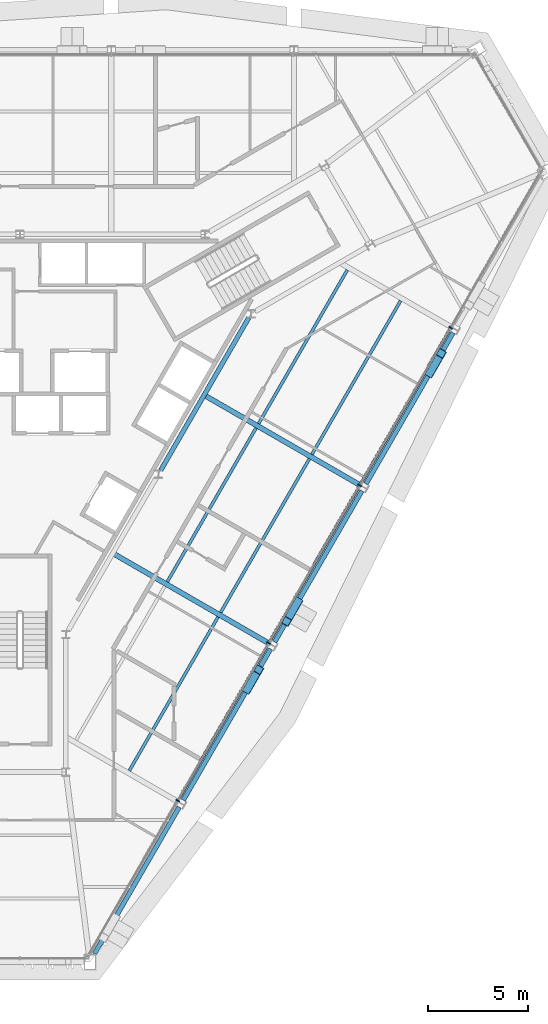
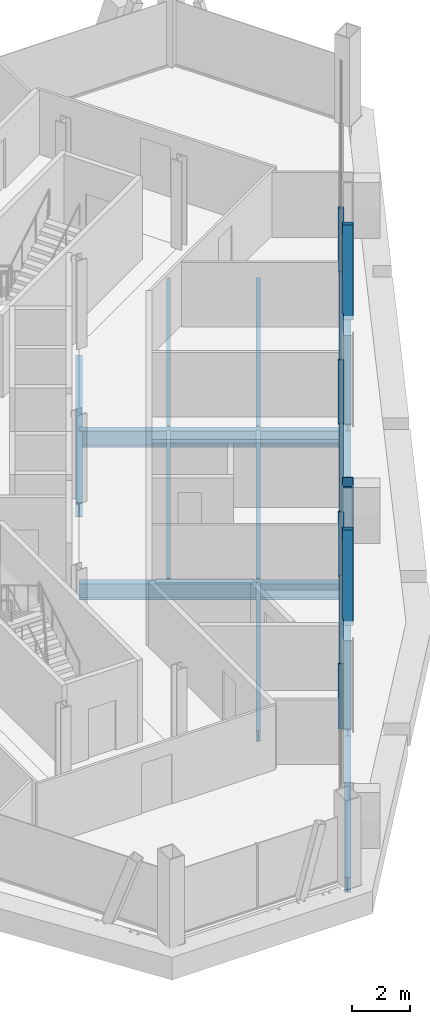
# One storey, part 5 of 15: 12 beams, 10 members, 1 element without a shape of its own.
"""IFC4 building model written with IfcOpenShell, lengths in metres."""

from ifc_helpers import new_model, si_unit, direction, frame, origin, origin_2d, place, context, subcontext, project, spatial, rectangle, hollow_rectangle, i_section, extrude, material, material_profile, profile_set, type_object, element, aggregate, save


model = new_model("IFC4")

# Units and contexts
model_context = context("Model", 3, precision=1e-05, world=origin(), true_north=direction((0.0, 1.0)))
body_context = subcontext(model_context, "Body", "Model", "MODEL_VIEW")
ifc_project = project(units=[si_unit("LENGTHUNIT", "METRE"), si_unit("AREAUNIT", "SQUARE_METRE"), si_unit("VOLUMEUNIT", "CUBIC_METRE"), si_unit("PLANEANGLEUNIT", "RADIAN"), si_unit("MASSUNIT", "GRAM", prefix="KILO")], contexts=[model_context])

# Site, building, storey
site_placement = place(None, origin())
site = spatial("IfcSite", under=ifc_project, at=site_placement, CompositionType="ELEMENT")
building_placement = place(site_placement, origin())
building = spatial("IfcBuilding", under=site, at=building_placement, Name="Verrane Prism Tower", CompositionType="ELEMENT")
storey_placement = place(building_placement, frame((0.0, 0.0, 250.800048828125)))
storey = spatial("IfcBuildingStorey", under=building, at=storey_placement, Name="L63", CompositionType="ELEMENT", Elevation=250.800048828125)

# Beam
ifc_material_1 = material(Name="Steel A992", Category="steel")
ifc_material_profile_1 = material_profile(ifc_material_1, i_section(OverallWidth=0.23046875, OverallDepth=0.6171875, WebThickness=0.01318359375, FlangeThickness=0.022216796875, FilletRadius=0.012939453125, at=origin_2d()), Name="W24x94")
ifc_profile_set_1 = profile_set([ifc_material_profile_1], Name="Steel A992")
beam_type_1 = type_object("IfcBeamType", Name="Core ring girder W24x94", PredefinedType="BEAM", material=ifc_profile_set_1)
beam_1_placement = place(storey_placement, frame((7.04150390625, -3.806884765625, -0.55859375), z_axis=(0.499967007444, 0.866044451208, 0.0), x_axis=(-0.866044451208, 0.499967007444, 0.0)))
element("IfcBeam", 1, at=beam_1_placement, inside=storey, type_object=beam_type_1, Name="Core ring girder L63", PredefinedType="BEAM", context=body_context, shape_type="SweptSolid", body=[
    extrude(i_section(OverallWidth=0.23046875, OverallDepth=0.6171875, WebThickness=0.01318359375, FlangeThickness=0.022216796875, FilletRadius=0.012939453125, at=origin_2d()), origin(), (0.0, 0.0, 1.0), 8.814453125),
])

# Members
ifc_material_2 = material(Name="Steel A500 Grade C", Category="steel")
ifc_material_profile_2 = material_profile(ifc_material_2, hollow_rectangle(XDim=0.406494140625, YDim=0.406494140625, WallThickness=0.01904296875, InnerFilletRadius=0.009521484375, OuterFilletRadius=0.028564453125, at=origin_2d()), Name="HSS16x16x3/4")
ifc_profile_set_2 = profile_set([ifc_material_profile_2], Name="Steel A500 Grade C")
member_type_1 = type_object("IfcMemberType", Name="Facade brace HSS16x16x3/4", PredefinedType="BRACE", material=ifc_profile_set_2)
member_1_placement = place(storey_placement, frame((11.378662109375, -14.753173828125, -0.216796875), z_axis=(0.16639448811, 0.288056951494, 0.943046163781), x_axis=(-0.865915093549, 0.500191014278, 0.0)))
element("IfcMember", 2, at=member_1_placement, inside=storey, type_object=member_type_1, Name="Facade brace SE1 L63", PredefinedType="BRACE", context=body_context, shape_type="SweptSolid", body=[
    extrude(hollow_rectangle(XDim=0.406494140625, YDim=0.406494140625, WallThickness=0.01904296875, InnerFilletRadius=0.009521484375, OuterFilletRadius=0.028564453125, at=origin_2d()), origin(), (0.0, 0.0, 1.0), 3.389404296875),
])
for number, where, z_axis, x_axis, name in (
    (3, (13.9013671875, -10.386962890625, -0.216796875), (-0.16639794037, -0.287990894198, 0.943065729575), (0.865860903713, -0.500284814302, 0.0), "Facade brace SE2 L63"),
    (4, (20.511474609375, 1.06689453125, -0.216796875), (0.166044267249, 0.28807419728, 0.943102623353), (-0.86638389334, 0.499378563178, 0.0), "Facade brace SE3 L63"),
):
    element("IfcMember", number, at=place(storey_placement, frame(where, z_axis=z_axis, x_axis=x_axis)), inside=storey, type_object=member_type_1, Name=name, PredefinedType="BRACE", context=body_context, shape_type="SweptSolid", body=[
        extrude(hollow_rectangle(XDim=0.406494140625, YDim=0.406494140625, WallThickness=0.01904296875, InnerFilletRadius=0.009521484375, OuterFilletRadius=0.028564453125, at=origin_2d()), origin(), (0.0, 0.0, 1.0), 3.38916015625),
    ])

# Beams
ifc_material_3 = material(Name="Steel A992", Category="steel")
ifc_material_profile_3 = material_profile(ifc_material_3, i_section(OverallWidth=0.15234375, OverallDepth=0.449462890625, WebThickness=0.007568359375, FlangeThickness=0.0107421875, FilletRadius=0.01025390625, at=origin_2d()), Name="W18x35")
ifc_profile_set_3 = profile_set([ifc_material_profile_3], Name="Steel A992")
beam_type_2 = type_object("IfcBeamType", Name="Floor beam W18x35", PredefinedType="BEAM", material=ifc_profile_set_3)
beam_2_placement = place(storey_placement, frame((5.47119140625, -18.83349609375, -0.384765625), z_axis=(0.50000642917, 0.866021691869, 0.0), x_axis=(-0.866021691869, 0.50000642917, 0.0)))
element("IfcBeam", 5, at=beam_2_placement, inside=storey, type_object=beam_type_2, Name="Floor beam L63", PredefinedType="BEAM", context=body_context, shape_type="SweptSolid", body=[
    extrude(i_section(OverallWidth=0.15234375, OverallDepth=0.449462890625, WebThickness=0.007568359375, FlangeThickness=0.0107421875, FilletRadius=0.01025390625, at=origin_2d()), origin(), (0.0, 0.0, 1.0), 8.880859375),
])
beam_3_placement = place(storey_placement, frame((10.03857421875, -10.92236328125, -0.384765625), z_axis=(0.499996860793, 0.866027216199, 0.0), x_axis=(-0.866027216199, 0.499996860793, 0.0)))
element("IfcBeam", 6, at=beam_3_placement, inside=storey, type_object=beam_type_2, Name="Floor beam L63", PredefinedType="BEAM", context=body_context, shape_type="SweptSolid", body=[
    extrude(i_section(OverallWidth=0.15234375, OverallDepth=0.449462890625, WebThickness=0.007568359375, FlangeThickness=0.0107421875, FilletRadius=0.01025390625, at=origin_2d()), origin(), (0.0, 0.0, 1.0), 8.88232421875),
])
beam_4_placement = place(storey_placement, frame((7.371337890625, -9.383544921875, -0.384765625), z_axis=(0.499999195485, 0.866025868271, 0.0), x_axis=(-0.866025868271, 0.499999195485, 0.0)))
element("IfcBeam", 7, at=beam_4_placement, inside=storey, type_object=beam_type_2, Name="Floor beam L63", PredefinedType="BEAM", context=body_context, shape_type="SweptSolid", body=[
    extrude(i_section(OverallWidth=0.15234375, OverallDepth=0.449462890625, WebThickness=0.007568359375, FlangeThickness=0.0107421875, FilletRadius=0.01025390625, at=origin_2d()), origin(), (0.0, 0.0, 1.0), 8.8837890625),
])
beam_5_placement = place(storey_placement, frame((14.606689453125, -3.010009765625, -0.384765625), z_axis=(0.500005807019, 0.866022051074, 0.0), x_axis=(-0.866022051074, 0.500005807019, 0.0)))
element("IfcBeam", 8, at=beam_5_placement, inside=storey, type_object=beam_type_2, Name="Floor beam L63", PredefinedType="BEAM", context=body_context, shape_type="SweptSolid", body=[
    extrude(i_section(OverallWidth=0.15234375, OverallDepth=0.449462890625, WebThickness=0.007568359375, FlangeThickness=0.0107421875, FilletRadius=0.01025390625, at=origin_2d()), origin(), (0.0, 0.0, 1.0), 8.87548828125),
])
beam_6_placement = place(storey_placement, frame((11.940185546875, -1.469970703125, -0.384765625), z_axis=(0.500000279077, 0.866025242659, 0.0), x_axis=(-0.866025242659, 0.500000279077, 0.0)))
element("IfcBeam", 9, at=beam_6_placement, inside=storey, type_object=beam_type_2, Name="Floor beam L63", PredefinedType="BEAM", context=body_context, shape_type="SweptSolid", body=[
    extrude(i_section(OverallWidth=0.15234375, OverallDepth=0.449462890625, WebThickness=0.007568359375, FlangeThickness=0.0107421875, FilletRadius=0.01025390625, at=origin_2d()), origin(), (0.0, 0.0, 1.0), 8.87451171875),
])

# Curtain wall, members
ifc_material_4 = material(Name="Aluminium framed insulated glazing", Category="aluminium")
curtain_wall_type = type_object("IfcCurtainWallType", Name="Curtain wall CW-A 8400 module", PredefinedType="NOTDEFINED", material=ifc_material_4)
curtain_wall_placement = place(storey_placement, origin())
curtain_wall = element("IfcCurtainWall", 10, at=curtain_wall_placement, inside=storey, type_object=curtain_wall_type, Name="Glazed curtain wall south-east face L63", PredefinedType="NOTDEFINED")
ifc_material_5 = material(Name="Aluminium alloy 6063-T6", Category="aluminium")
ifc_material_profile_4 = material_profile(ifc_material_5, rectangle(XDim=0.199951171875, YDim=0.070068359375, at=origin_2d()), Name="Mullion 70x200 aluminium")
ifc_profile_set_4 = profile_set([ifc_material_profile_4], Name="Aluminium alloy 6063-T6")
member_type_2 = type_object("IfcMemberType", Name="Mullion 70x200 aluminium", PredefinedType="MULLION", material=ifc_profile_set_4)
member_2_placement = place(storey_placement, frame((7.894775390625, -20.32958984375, 0.0), z_axis=(0.0, 0.0, 1.0), x_axis=(-0.866025525748, 0.499999788753, 0.0)))
member_2 = element("IfcMember", 11, at=member_2_placement, type_object=member_type_2, Name="CW62.6 mullion 2", PredefinedType="MULLION", context=body_context, shape_type="SweptSolid", body=[
    extrude(rectangle(XDim=0.199951171875, YDim=0.070068359375, at=origin_2d()), origin(), (0.0, 0.0, 1.0), 2.712890625),
])
member_3_placement = place(storey_placement, frame((12.447509765625, -12.44384765625, 0.0), z_axis=(0.0, 0.0, 1.0), x_axis=(-0.866025525748, 0.499999788753, 0.0)))
member_3 = element("IfcMember", 12, at=member_3_placement, type_object=member_type_2, Name="CW62.6 mullion 3", PredefinedType="MULLION", context=body_context, shape_type="SweptSolid", body=[
    extrude(rectangle(XDim=0.199951171875, YDim=0.070068359375, at=origin_2d()), origin(), (0.0, 0.0, 1.0), 2.712890625),
])
member_4_placement = place(storey_placement, frame((17.000244140625, -4.55810546875, 0.0), z_axis=(0.0, 0.0, 1.0), x_axis=(-0.866025525748, 0.499999788753, 0.0)))
member_4 = element("IfcMember", 13, at=member_4_placement, type_object=member_type_2, Name="CW62.6 mullion 4", PredefinedType="MULLION", context=body_context, shape_type="SweptSolid", body=[
    extrude(rectangle(XDim=0.199951171875, YDim=0.070068359375, at=origin_2d()), origin(), (0.0, 0.0, 1.0), 2.712890625),
])
member_5_placement = place(storey_placement, frame((21.55322265625, 3.32763671875, 0.0), z_axis=(0.0, 0.0, 1.0), x_axis=(-0.866025525748, 0.499999788753, 0.0)))
member_5 = element("IfcMember", 14, at=member_5_placement, type_object=member_type_2, Name="CW62.6 mullion 5", PredefinedType="MULLION", context=body_context, shape_type="SweptSolid", body=[
    extrude(rectangle(XDim=0.199951171875, YDim=0.070068359375, at=origin_2d()), origin(), (0.0, 0.0, 1.0), 2.712890625),
])

# Beams
ifc_material_6 = material(Name="Steel A992", Category="steel")
ifc_material_profile_5 = material_profile(ifc_material_6, i_section(OverallWidth=0.25390625, OverallDepth=0.683349609375, WebThickness=0.012451171875, FlangeThickness=0.01904296875, FilletRadius=0.01513671875, at=origin_2d()), Name="W27x94")
ifc_profile_set_5 = profile_set([ifc_material_profile_5], Name="Steel A992")
beam_type_3 = type_object("IfcBeamType", Name="Radial girder W27x94", PredefinedType="BEAM", material=ifc_profile_set_5)
beam_7_placement = place(storey_placement, frame((12.472900390625, -12.473388671875, -0.561767578125), z_axis=(-0.866031723512, 0.499989053751, 0.0), x_axis=(-0.499989053751, -0.866031723512, 0.0)))
element("IfcBeam", 15, at=beam_7_placement, inside=storey, type_object=beam_type_3, Name="Radial girder L63", PredefinedType="BEAM", context=body_context, shape_type="SweptSolid", body=[
    extrude(i_section(OverallWidth=0.25390625, OverallDepth=0.683349609375, WebThickness=0.012451171875, FlangeThickness=0.01904296875, FilletRadius=0.01513671875, at=origin_2d()), origin(), (0.0, 0.0, 1.0), 9.036865234375),
])
beam_8_placement = place(storey_placement, frame((17.042724609375, -4.5634765625, -0.561767578125), z_axis=(-0.866029072754, 0.499993645104, 0.0), x_axis=(-0.499993645104, -0.866029072754, 0.0)))
element("IfcBeam", 16, at=beam_8_placement, inside=storey, type_object=beam_type_3, Name="Radial girder L63", PredefinedType="BEAM", context=body_context, shape_type="SweptSolid", body=[
    extrude(i_section(OverallWidth=0.25390625, OverallDepth=0.683349609375, WebThickness=0.012451171875, FlangeThickness=0.01904296875, FilletRadius=0.01513671875, at=origin_2d()), origin(), (0.0, 0.0, 1.0), 9.03955078125),
])
ifc_material_7 = material(Name="Steel A992", Category="steel")
ifc_material_profile_6 = material_profile(ifc_material_7, i_section(OverallWidth=0.23046875, OverallDepth=0.6171875, WebThickness=0.01318359375, FlangeThickness=0.022216796875, FilletRadius=0.012939453125, at=origin_2d()), Name="W24x94")
ifc_profile_set_6 = profile_set([ifc_material_profile_6], Name="Steel A992")
beam_type_4 = type_object("IfcBeamType", Name="Spandrel beam W24x94", PredefinedType="SPANDREL", material=ifc_profile_set_6)
beam_9_placement = place(storey_placement, frame((3.731201171875, -27.989990234375, -0.46875), z_axis=(0.500244477186, 0.865884208797, 0.0), x_axis=(-0.865884208797, 0.500244477186, 0.0)))
element("IfcBeam", 17, at=beam_9_placement, inside=storey, type_object=beam_type_4, Name="Spandrel beam L63", PredefinedType="SPANDREL", context=body_context, shape_type="SweptSolid", body=[
    extrude(i_section(OverallWidth=0.23046875, OverallDepth=0.6171875, WebThickness=0.01318359375, FlangeThickness=0.022216796875, FilletRadius=0.012939453125, at=origin_2d()), origin(), (0.0, 0.0, 1.0), 8.473876953125),
])
beam_10_placement = place(storey_placement, frame((8.169677734375, -20.307373046875, -0.46875), z_axis=(0.500268286352, 0.865870453169, 0.0), x_axis=(-0.865870453169, 0.500268286352, 0.0)))
element("IfcBeam", 18, at=beam_10_placement, inside=storey, type_object=beam_type_4, Name="Spandrel beam L63", PredefinedType="SPANDREL", context=body_context, shape_type="SweptSolid", body=[
    extrude(i_section(OverallWidth=0.23046875, OverallDepth=0.6171875, WebThickness=0.01318359375, FlangeThickness=0.022216796875, FilletRadius=0.012939453125, at=origin_2d()), origin(), (0.0, 0.0, 1.0), 8.736572265625),
])
beam_11_placement = place(storey_placement, frame((12.73974609375, -12.3974609375, -0.46875), z_axis=(0.500256181805, 0.865877446621, 0.0), x_axis=(-0.865877446621, 0.500256181805, 0.0)))
element("IfcBeam", 19, at=beam_11_placement, inside=storey, type_object=beam_type_4, Name="Spandrel beam L63", PredefinedType="SPANDREL", context=body_context, shape_type="SweptSolid", body=[
    extrude(i_section(OverallWidth=0.23046875, OverallDepth=0.6171875, WebThickness=0.01318359375, FlangeThickness=0.022216796875, FilletRadius=0.012939453125, at=origin_2d()), origin(), (0.0, 0.0, 1.0), 8.73681640625),
])
beam_12_placement = place(storey_placement, frame((17.3095703125, -4.4873046875, -0.46875), z_axis=(0.499429538444, 0.866354509499, 0.0), x_axis=(-0.866354509499, 0.499429538444, 0.0)))
element("IfcBeam", 20, at=beam_12_placement, inside=storey, type_object=beam_type_4, Name="Spandrel beam L63", PredefinedType="SPANDREL", context=body_context, shape_type="SweptSolid", body=[
    extrude(i_section(OverallWidth=0.23046875, OverallDepth=0.6171875, WebThickness=0.01318359375, FlangeThickness=0.022216796875, FilletRadius=0.012939453125, at=origin_2d()), origin(), (0.0, 0.0, 1.0), 8.731689453125),
])

# Member
ifc_material_8 = material(Name="Aluminium alloy 6063-T6", Category="aluminium")
ifc_material_profile_7 = material_profile(ifc_material_8, rectangle(XDim=0.14990234375, YDim=0.070068359375, at=origin_2d()), Name="Transom 70x150 aluminium")
ifc_profile_set_7 = profile_set([ifc_material_profile_7], Name="Aluminium alloy 6063-T6")
member_type_3 = type_object("IfcMemberType", Name="Transom 70x150 aluminium", PredefinedType="USERDEFINED", material=ifc_profile_set_7)
member_6_placement = place(storey_placement, frame((7.912109375, -20.299072265625, 0.034912109375), z_axis=(0.500007022283, 0.866021349429, 0.0), x_axis=(-0.866021349429, 0.500007022283, 0.0)))
member_6 = element("IfcMember", 21, at=member_6_placement, type_object=member_type_3, Name="CW62.6 transom 2", ObjectType="TRANSOM", PredefinedType="USERDEFINED", context=body_context, shape_type="SweptSolid", body=[
    extrude(rectangle(XDim=0.14990234375, YDim=0.070068359375, at=origin_2d()), origin(), (0.0, 0.0, 1.0), 9.035400390625),
])

member_7_placement = place(storey_placement, frame((12.465087890625, -12.413330078125, 0.034912109375), z_axis=(0.500007022283, 0.866021349429, 0.0), x_axis=(-0.866021349429, 0.500007022283, 0.0)))
member_7 = element("IfcMember", 22, at=member_7_placement, type_object=member_type_3, Name="CW62.6 transom 3", ObjectType="TRANSOM", PredefinedType="USERDEFINED", context=body_context, shape_type="SweptSolid", body=[
    extrude(rectangle(XDim=0.14990234375, YDim=0.070068359375, at=origin_2d()), origin(), (0.0, 0.0, 1.0), 9.035400390625),
])

member_8_placement = place(storey_placement, frame((17.017822265625, -4.52783203125, 0.034912109375), z_axis=(0.499995322353, 0.866028104408, 0.0), x_axis=(-0.866028104408, 0.499995322353, 0.0)))
member_8 = element("IfcMember", 23, at=member_8_placement, type_object=member_type_3, Name="CW62.6 transom 4", ObjectType="TRANSOM", PredefinedType="USERDEFINED", context=body_context, shape_type="SweptSolid", body=[
    extrude(rectangle(XDim=0.14990234375, YDim=0.070068359375, at=origin_2d()), origin(), (0.0, 0.0, 1.0), 9.03564453125),
])

aggregate(curtain_wall, [member_2, member_3, member_4, member_5, member_6, member_7, member_8])

save(model, "model.ifc")
